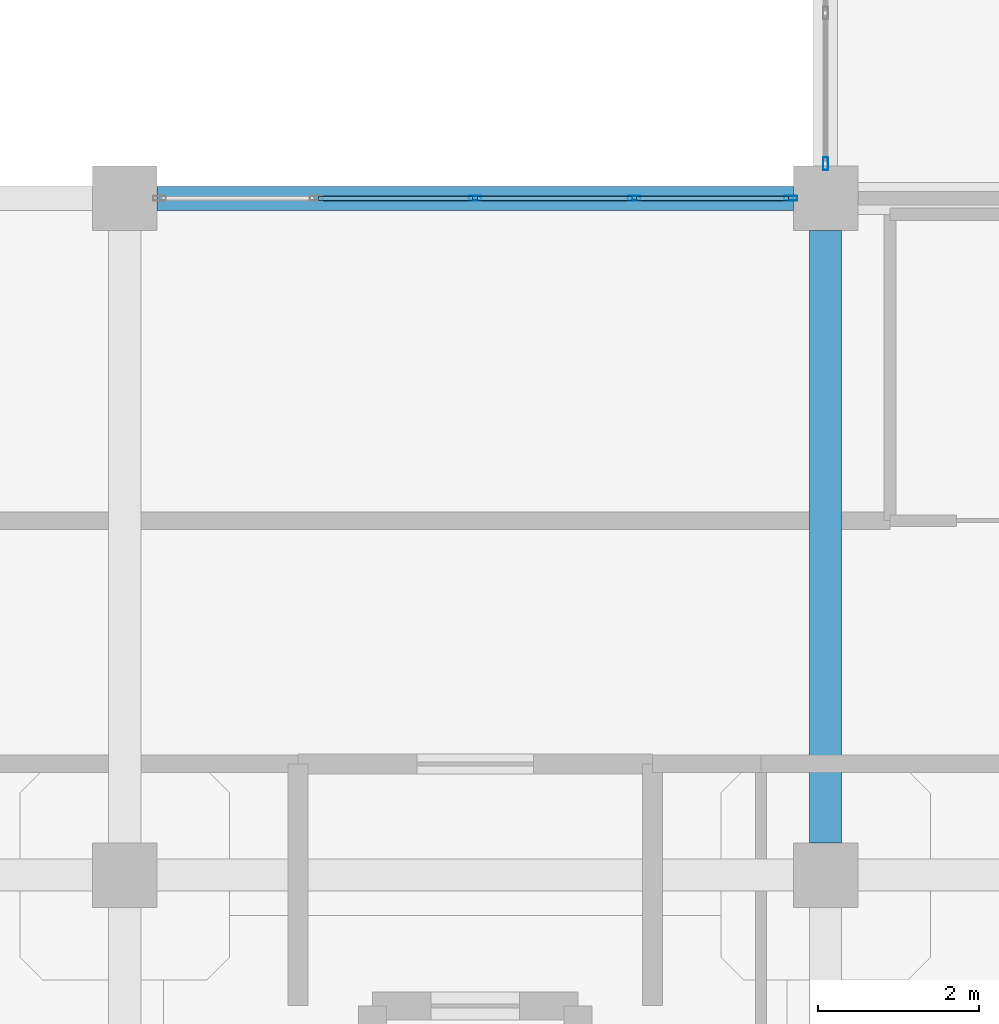
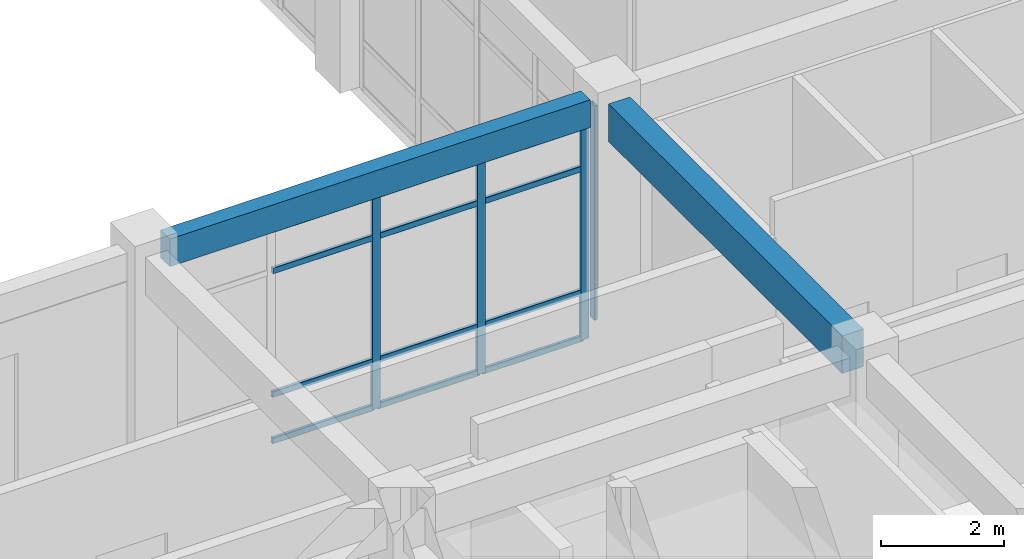
# One storey, part 20 of 96: 16 members, 2 beams, 2 elements without a shape of their own.
"""IFC4 building model written with IfcOpenShell, lengths in metres."""

from ifc_helpers import new_model, si_unit, derived_unit, direction, frame, origin, origin_2d, place, context, subcontext, project, spatial, rectangle, hollow_rectangle, extrude, material, layer, layer_set, material_profile, profile_set, type_object, element, aggregate, save


model = new_model("IFC4")

# Units and contexts
model_context = context("Model", 3, precision=1e-05, world=origin(), true_north=direction((0.0, 1.0)))
body_context = subcontext(model_context, "Body", "Model", "MODEL_VIEW")
ifc_project = project(units=[si_unit("LENGTHUNIT", "METRE"), si_unit("AREAUNIT", "SQUARE_METRE"), si_unit("VOLUMEUNIT", "CUBIC_METRE"), si_unit("PLANEANGLEUNIT", "RADIAN"), si_unit("MASSUNIT", "GRAM", prefix="KILO"), derived_unit("THERMALTRANSMITTANCEUNIT", [(si_unit("MASSUNIT", "GRAM", prefix="KILO"), 1), (si_unit("TIMEUNIT", "SECOND"), -3), (si_unit("THERMODYNAMICTEMPERATUREUNIT", "KELVIN"), -1)])], contexts=[model_context])

# Site, building, storey
site_placement = place(None, origin())
site = spatial("IfcSite", under=ifc_project, at=site_placement, CompositionType="ELEMENT")
building_placement = place(site_placement, origin())
building = spatial("IfcBuilding", under=site, at=building_placement, Name="Qinzheling Arcade Emporium", CompositionType="ELEMENT")
storey_placement = place(building_placement, frame((0.0, 0.0, 21.60009765625)))
storey = spatial("IfcBuildingStorey", under=building, at=storey_placement, Name="L05", CompositionType="ELEMENT", Elevation=21.60009765625)

# Curtain wall, members
ifc_material_1 = material(Name="Anodised aluminium and solar-control double glazing", Category="aluminium")
ifc_layer = layer(ifc_material_1, 0.159912109375, Name="Anodised aluminium and solar-control double glazing", Category="aluminium")
ifc_layer_set = layer_set([ifc_layer], Name="Anodised aluminium and solar-control double glazing")
curtain_wall_type = type_object("IfcCurtainWallType", Name="Atrium Clerestory Curtain Wall", PredefinedType="NOTDEFINED", material=ifc_layer_set)
curtain_wall_1_placement = place(storey_placement, origin())
curtain_wall_1 = element("IfcCurtainWall", 1, at=curtain_wall_1_placement, inside=storey, type_object=curtain_wall_type, Name="Curtain Wall CW-L05-315", PredefinedType="NOTDEFINED")
ifc_material_2 = material(Name="Anodised aluminium 6063-T6", Category="aluminium")
ifc_material_profile_1 = material_profile(ifc_material_2, hollow_rectangle(XDim=0.06005859375, YDim=0.159912109375, WallThickness=0.00390625, InnerFilletRadius=0.00390625, OuterFilletRadius=0.008056640625, at=origin_2d()), Name="RHS 160x60x4", Category="aluminium")
ifc_profile_set_1 = profile_set([ifc_material_profile_1], Name="Anodised aluminium 6063-T6")
member_type_1 = type_object("IfcMemberType", Name="Curtain Wall Mullion RHS160x60", PredefinedType="MULLION", material=ifc_profile_set_1)
member_1_placement = place(storey_placement, frame((30.449951171875, 42.0, 0.0), z_axis=(0.0, 0.0, 1.0), x_axis=(0.0, 1.0, 0.0)))
member_1 = element("IfcMember", 2, at=member_1_placement, type_object=member_type_1, Name="CW03 mullion 3", PredefinedType="MULLION", context=body_context, shape_type="SweptSolid", body=[
    extrude(hollow_rectangle(XDim=0.06005859375, YDim=0.159912109375, WallThickness=0.00390625, InnerFilletRadius=0.00390625, OuterFilletRadius=0.008056640625, at=origin_2d()), origin(), (0.0, 0.0, 1.0), 4.2548828125),
])
member_2_placement = place(storey_placement, frame((32.424072265625, 42.0, 0.0), z_axis=(0.0, 0.0, 1.0), x_axis=(0.0, 1.0, 0.0)))
member_2 = element("IfcMember", 3, at=member_2_placement, type_object=member_type_1, Name="CW03 mullion 4", PredefinedType="MULLION", context=body_context, shape_type="SweptSolid", body=[
    extrude(hollow_rectangle(XDim=0.06005859375, YDim=0.159912109375, WallThickness=0.00390625, InnerFilletRadius=0.00390625, OuterFilletRadius=0.008056640625, at=origin_2d()), origin(), (0.0, 0.0, 1.0), 4.2548828125),
])
member_3_placement = place(storey_placement, frame((34.367919921875, 42.0, 0.0), z_axis=(0.0, 0.0, 1.0), x_axis=(0.0, 1.0, 0.0)))
member_3 = element("IfcMember", 4, at=member_3_placement, type_object=member_type_1, Name="CW03 mullion 5", PredefinedType="MULLION", context=body_context, shape_type="SweptSolid", body=[
    extrude(hollow_rectangle(XDim=0.06005859375, YDim=0.159912109375, WallThickness=0.00390625, InnerFilletRadius=0.00390625, OuterFilletRadius=0.008056640625, at=origin_2d()), origin(), (0.0, 0.0, 1.0), 4.2548828125),
])

# Curtain wall, member
curtain_wall_2_placement = place(storey_placement, origin())
curtain_wall_2 = element("IfcCurtainWall", 5, at=curtain_wall_2_placement, inside=storey, type_object=curtain_wall_type, Name="Curtain Wall CW-L05-316", PredefinedType="NOTDEFINED")
member_4_placement = place(storey_placement, frame((34.800048828125, 42.431884765625, 0.0), z_axis=(0.0, 0.0, 1.0), x_axis=(-1.0, 0.0, 0.0)))
member_4 = element("IfcMember", 6, at=member_4_placement, type_object=member_type_1, Name="CW03 mullion 1", PredefinedType="MULLION", context=body_context, shape_type="SweptSolid", body=[
    extrude(hollow_rectangle(XDim=0.06005859375, YDim=0.159912109375, WallThickness=0.00390625, InnerFilletRadius=0.00390625, OuterFilletRadius=0.008056640625, at=origin_2d()), origin(), (0.0, 0.0, 1.0), 4.2548828125),
])
aggregate(curtain_wall_2, [member_4])

# Member
ifc_material_profile_2 = material_profile(ifc_material_2, hollow_rectangle(XDim=0.06005859375, YDim=0.1201171875, WallThickness=0.00390625, InnerFilletRadius=0.00390625, OuterFilletRadius=0.008056640625, at=origin_2d()), Name="RHS 120x60x4", Category="aluminium")
ifc_profile_set_2 = profile_set([ifc_material_profile_2], Name="Anodised aluminium 6063-T6")
member_type_2 = type_object("IfcMemberType", Name="Curtain Wall Transom RHS120x60", PredefinedType="USERDEFINED", material=ifc_profile_set_2)
member_5_placement = place(storey_placement, frame((28.506103515625, 42.0, 0.02978515625), z_axis=(1.0, 0.0, 0.0), x_axis=(0.0, 1.0, 0.0)))
member_5 = element("IfcMember", 7, at=member_5_placement, type_object=member_type_2, Name="CW03 transom 2.1", ObjectType="TRANSOM", PredefinedType="USERDEFINED", context=body_context, shape_type="SweptSolid", body=[
    extrude(hollow_rectangle(XDim=0.06005859375, YDim=0.1201171875, WallThickness=0.00390625, InnerFilletRadius=0.00390625, OuterFilletRadius=0.008056640625, at=origin_2d()), origin(), (0.0, 0.0, 1.0), 1.913818359375),
])

member_6_placement = place(storey_placement, frame((28.506103515625, 42.0, 0.949951171875), z_axis=(1.0, 0.0, 0.0), x_axis=(0.0, 1.0, 0.0)))
member_6 = element("IfcMember", 8, at=member_6_placement, type_object=member_type_2, Name="CW03 transom 2.2", ObjectType="TRANSOM", PredefinedType="USERDEFINED", context=body_context, shape_type="SweptSolid", body=[
    extrude(hollow_rectangle(XDim=0.06005859375, YDim=0.1201171875, WallThickness=0.00390625, InnerFilletRadius=0.00390625, OuterFilletRadius=0.008056640625, at=origin_2d()), origin(), (0.0, 0.0, 1.0), 1.913818359375),
])

member_7_placement = place(storey_placement, frame((28.506103515625, 42.0, 3.40478515625), z_axis=(1.0, 0.0, 0.0), x_axis=(0.0, 1.0, 0.0)))
member_7 = element("IfcMember", 9, at=member_7_placement, type_object=member_type_2, Name="CW03 transom 2.3", ObjectType="TRANSOM", PredefinedType="USERDEFINED", context=body_context, shape_type="SweptSolid", body=[
    extrude(hollow_rectangle(XDim=0.06005859375, YDim=0.1201171875, WallThickness=0.00390625, InnerFilletRadius=0.00390625, OuterFilletRadius=0.008056640625, at=origin_2d()), origin(), (0.0, 0.0, 1.0), 1.913818359375),
])

member_8_placement = place(storey_placement, frame((28.506103515625, 42.0, 4.224853515625), z_axis=(1.0, 0.0, 0.0), x_axis=(0.0, 1.0, 0.0)))
member_8 = element("IfcMember", 10, at=member_8_placement, type_object=member_type_2, Name="CW03 transom 2.4", ObjectType="TRANSOM", PredefinedType="USERDEFINED", context=body_context, shape_type="SweptSolid", body=[
    extrude(hollow_rectangle(XDim=0.06005859375, YDim=0.1201171875, WallThickness=0.00390625, InnerFilletRadius=0.00390625, OuterFilletRadius=0.008056640625, at=origin_2d()), origin(), (0.0, 0.0, 1.0), 1.913818359375),
])

member_9_placement = place(storey_placement, frame((30.47998046875, 42.0, 0.02978515625), z_axis=(1.0, 0.0, 0.0), x_axis=(0.0, 1.0, 0.0)))
member_9 = element("IfcMember", 11, at=member_9_placement, type_object=member_type_2, Name="CW03 transom 3.1", ObjectType="TRANSOM", PredefinedType="USERDEFINED", context=body_context, shape_type="SweptSolid", body=[
    extrude(hollow_rectangle(XDim=0.06005859375, YDim=0.1201171875, WallThickness=0.00390625, InnerFilletRadius=0.00390625, OuterFilletRadius=0.008056640625, at=origin_2d()), origin(), (0.0, 0.0, 1.0), 1.9140625),
])

member_10_placement = place(storey_placement, frame((30.47998046875, 42.0, 0.949951171875), z_axis=(1.0, 0.0, 0.0), x_axis=(0.0, 1.0, 0.0)))
member_10 = element("IfcMember", 12, at=member_10_placement, type_object=member_type_2, Name="CW03 transom 3.2", ObjectType="TRANSOM", PredefinedType="USERDEFINED", context=body_context, shape_type="SweptSolid", body=[
    extrude(hollow_rectangle(XDim=0.06005859375, YDim=0.1201171875, WallThickness=0.00390625, InnerFilletRadius=0.00390625, OuterFilletRadius=0.008056640625, at=origin_2d()), origin(), (0.0, 0.0, 1.0), 1.9140625),
])

member_11_placement = place(storey_placement, frame((30.47998046875, 42.0, 3.40478515625), z_axis=(1.0, 0.0, 0.0), x_axis=(0.0, 1.0, 0.0)))
member_11 = element("IfcMember", 13, at=member_11_placement, type_object=member_type_2, Name="CW03 transom 3.3", ObjectType="TRANSOM", PredefinedType="USERDEFINED", context=body_context, shape_type="SweptSolid", body=[
    extrude(hollow_rectangle(XDim=0.06005859375, YDim=0.1201171875, WallThickness=0.00390625, InnerFilletRadius=0.00390625, OuterFilletRadius=0.008056640625, at=origin_2d()), origin(), (0.0, 0.0, 1.0), 1.9140625),
])

member_12_placement = place(storey_placement, frame((30.47998046875, 42.0, 4.224853515625), z_axis=(1.0, 0.0, 0.0), x_axis=(0.0, 1.0, 0.0)))
member_12 = element("IfcMember", 14, at=member_12_placement, type_object=member_type_2, Name="CW03 transom 3.4", ObjectType="TRANSOM", PredefinedType="USERDEFINED", context=body_context, shape_type="SweptSolid", body=[
    extrude(hollow_rectangle(XDim=0.06005859375, YDim=0.1201171875, WallThickness=0.00390625, InnerFilletRadius=0.00390625, OuterFilletRadius=0.008056640625, at=origin_2d()), origin(), (0.0, 0.0, 1.0), 1.9140625),
])

member_13_placement = place(storey_placement, frame((32.4541015625, 42.0, 0.02978515625), z_axis=(1.0, 0.0, 0.0), x_axis=(0.0, 1.0, 0.0)))
member_13 = element("IfcMember", 15, at=member_13_placement, type_object=member_type_2, Name="CW03 transom 4.1", ObjectType="TRANSOM", PredefinedType="USERDEFINED", context=body_context, shape_type="SweptSolid", body=[
    extrude(hollow_rectangle(XDim=0.06005859375, YDim=0.1201171875, WallThickness=0.00390625, InnerFilletRadius=0.00390625, OuterFilletRadius=0.008056640625, at=origin_2d()), origin(), (0.0, 0.0, 1.0), 1.8837890625),
])

member_14_placement = place(storey_placement, frame((32.4541015625, 42.0, 0.949951171875), z_axis=(1.0, 0.0, 0.0), x_axis=(0.0, 1.0, 0.0)))
member_14 = element("IfcMember", 16, at=member_14_placement, type_object=member_type_2, Name="CW03 transom 4.2", ObjectType="TRANSOM", PredefinedType="USERDEFINED", context=body_context, shape_type="SweptSolid", body=[
    extrude(hollow_rectangle(XDim=0.06005859375, YDim=0.1201171875, WallThickness=0.00390625, InnerFilletRadius=0.00390625, OuterFilletRadius=0.008056640625, at=origin_2d()), origin(), (0.0, 0.0, 1.0), 1.8837890625),
])

member_15_placement = place(storey_placement, frame((32.4541015625, 42.0, 3.40478515625), z_axis=(1.0, 0.0, 0.0), x_axis=(0.0, 1.0, 0.0)))
member_15 = element("IfcMember", 17, at=member_15_placement, type_object=member_type_2, Name="CW03 transom 4.3", ObjectType="TRANSOM", PredefinedType="USERDEFINED", context=body_context, shape_type="SweptSolid", body=[
    extrude(hollow_rectangle(XDim=0.06005859375, YDim=0.1201171875, WallThickness=0.00390625, InnerFilletRadius=0.00390625, OuterFilletRadius=0.008056640625, at=origin_2d()), origin(), (0.0, 0.0, 1.0), 1.8837890625),
])

member_16_placement = place(storey_placement, frame((32.4541015625, 42.0, 4.224853515625), z_axis=(1.0, 0.0, 0.0), x_axis=(0.0, 1.0, 0.0)))
member_16 = element("IfcMember", 18, at=member_16_placement, type_object=member_type_2, Name="CW03 transom 4.4", ObjectType="TRANSOM", PredefinedType="USERDEFINED", context=body_context, shape_type="SweptSolid", body=[
    extrude(hollow_rectangle(XDim=0.06005859375, YDim=0.1201171875, WallThickness=0.00390625, InnerFilletRadius=0.00390625, OuterFilletRadius=0.008056640625, at=origin_2d()), origin(), (0.0, 0.0, 1.0), 1.8837890625),
])

aggregate(curtain_wall_1, [member_1, member_2, member_3, member_5, member_6, member_7, member_8, member_9, member_10, member_11, member_12, member_13, member_14, member_15, member_16])

# Beams
ifc_material_3 = material(Name="Concrete C40", Category="concrete")
ifc_material_profile_3 = material_profile(ifc_material_3, rectangle(XDim=0.39990234375, YDim=0.75, at=origin_2d()), Name="RC 400x750", Category="concrete")
ifc_profile_set_3 = profile_set([ifc_material_profile_3], Name="Concrete C40")
beam_type_1 = type_object("IfcBeamType", Name="RC Interior Tie Beam 400x750 C40", PredefinedType="BEAM", material=ifc_profile_set_3)
beam_1_placement = place(storey_placement, frame((34.800048828125, 34.0, 4.44482421875), z_axis=(0.0, 1.0, 0.0), x_axis=(-1.0, 0.0, 0.0)))
element("IfcBeam", 19, at=beam_1_placement, inside=storey, type_object=beam_type_1, Name="Beam BM-L05-Y-5-E", PredefinedType="BEAM", context=body_context, shape_type="SweptSolid", body=[
    extrude(rectangle(XDim=0.39990234375, YDim=0.75, at=origin_2d()), origin(), (0.0, 0.0, 1.0), 7.60009765625),
])
ifc_material_profile_4 = material_profile(ifc_material_3, rectangle(XDim=0.300048828125, YDim=0.550048828125, at=origin_2d()), Name="RC 300x550", Category="concrete")
ifc_profile_set_4 = profile_set([ifc_material_profile_4], Name="Concrete C40")
beam_type_2 = type_object("IfcBeamType", Name="RC Terrace Spandrel Beam 300x550 C40", PredefinedType="SPANDREL", material=ifc_profile_set_4)
beam_2_placement = place(storey_placement, frame((26.5, 42.0, 4.544921875), z_axis=(1.0, 0.0, 0.0), x_axis=(0.0, 1.0, 0.0)))
element("IfcBeam", 20, at=beam_2_placement, inside=storey, type_object=beam_type_2, Name="Beam BM-L05-X-F-4", PredefinedType="SPANDREL", context=body_context, shape_type="SweptSolid", body=[
    extrude(rectangle(XDim=0.300048828125, YDim=0.550048828125, at=origin_2d()), origin(), (0.0, 0.0, 1.0), 7.89990234375),
])

save(model, "model.ifc")
